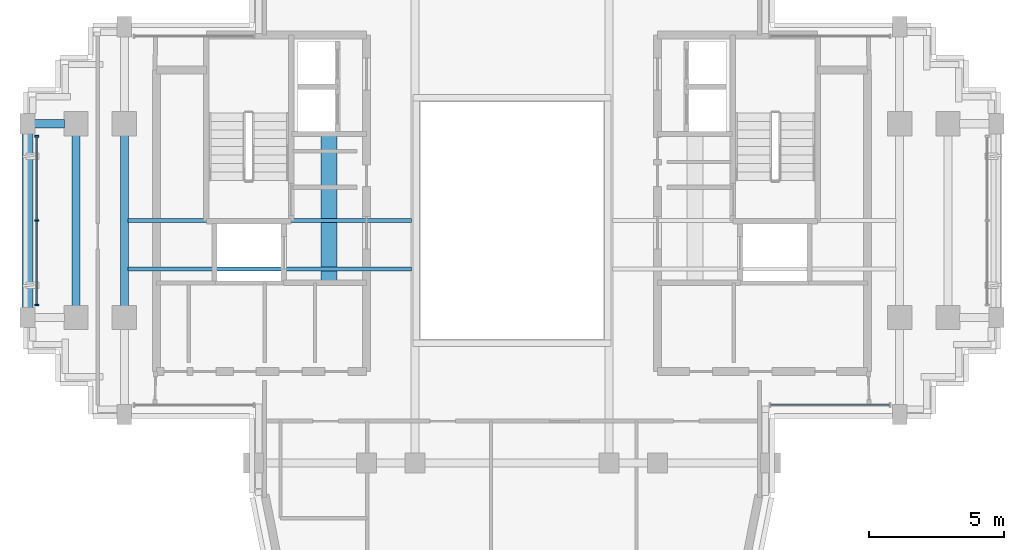
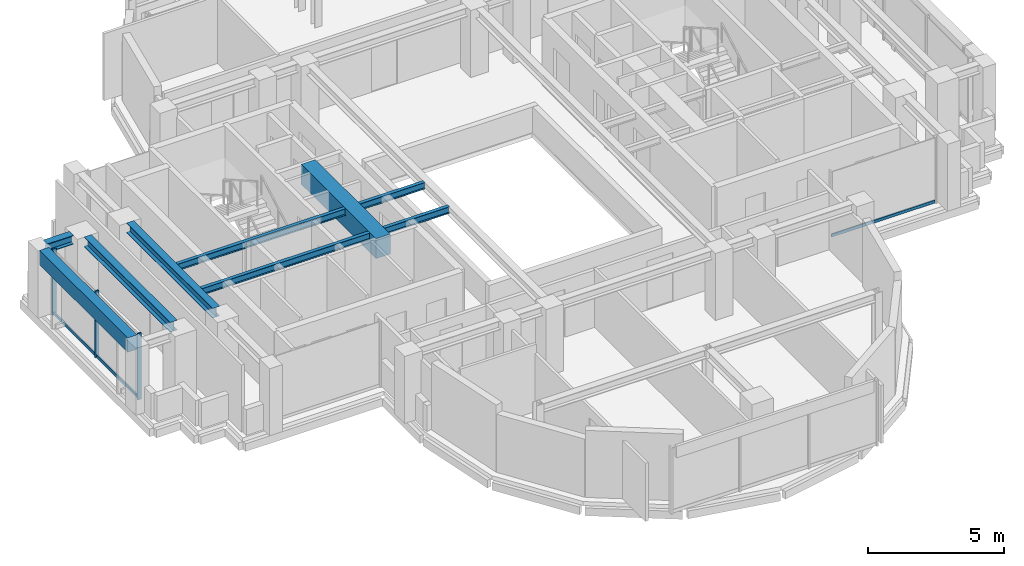
# One storey, part 4 of 12: 7 beams, 6 members, 2 elements without a shape of their own.
"""IFC4 building model written with IfcOpenShell, lengths in metres."""

from ifc_helpers import new_model, si_unit, direction, frame, origin, origin_2d, place, context, subcontext, project, spatial, rectangle, i_section, extrude, source, transform, mapped, material, material_profile, profile_set, type_object, element, aggregate, save


model = new_model("IFC4")

# Units and contexts
model_context = context("Model", 3, precision=1e-05, world=origin(), true_north=direction((0.0, 1.0)))
body_context = subcontext(model_context, "Body", "Model", "MODEL_VIEW")
ifc_project = project(units=[si_unit("LENGTHUNIT", "METRE"), si_unit("AREAUNIT", "SQUARE_METRE"), si_unit("VOLUMEUNIT", "CUBIC_METRE"), si_unit("PLANEANGLEUNIT", "RADIAN"), si_unit("MASSUNIT", "GRAM", prefix="KILO")], contexts=[model_context])

# Site, building, storey
site_placement = place(None, origin())
site = spatial("IfcSite", under=ifc_project, at=site_placement, CompositionType="ELEMENT")
building_placement = place(site_placement, origin())
building = spatial("IfcBuilding", under=site, at=building_placement, Name="Keilestroom Media Tower", CompositionType="ELEMENT")
storey_placement = place(building_placement, frame((0.0, 0.0, 226.800048828125)))
storey = spatial("IfcBuildingStorey", under=building, at=storey_placement, Name="L62", CompositionType="ELEMENT", Elevation=226.800048828125)

# Beams
ifc_material_1 = material(Name="Concrete C70/85", Category="concrete")
ifc_material_profile_1 = material_profile(ifc_material_1, rectangle(XDim=0.60009765625, YDim=0.89990234375, at=origin_2d()), Name="RC 600x900")
ifc_profile_set_1 = profile_set([ifc_material_profile_1], Name="Concrete C70/85")
beam_type_1 = type_object("IfcBeamType", Name="Core-Coupling-Lintel-Beam-RC-600x900", PredefinedType="LINTEL", material=ifc_profile_set_1)
shared_shape_1 = source(origin(), body_context, "Body", "SweptSolid", [
    extrude(rectangle(XDim=0.60009765625, YDim=0.89990234375, at=origin_2d()), origin(), (0.0, 0.0, 1.0), 5.52001953125),
])
beam_1_placement = place(storey_placement, frame((-6.800048828125, -2.300048828125, 2.56005859375), z_axis=(0.0, 1.0, 0.0), x_axis=(-1.0, 0.0, 0.0)))
element("IfcBeam", 1, at=beam_1_placement, inside=storey, type_object=beam_type_1, Name="L62 Beam CLB-1 CLB-L62-W", PredefinedType="LINTEL", context=body_context, shape_type="MappedRepresentation", body=[
    mapped(shared_shape_1, transform((0.0, 0.0, 0.0), x_axis=(1.0, 0.0, 0.0), y_axis=(0.0, 1.0, 0.0), z_axis=(0.0, 0.0, 1.0), scale=1.0)),
])
ifc_material_2 = material(Name="Steel S355", Category="steel")
ifc_material_profile_2 = material_profile(ifc_material_2, i_section(OverallWidth=0.300048828125, OverallDepth=0.39990234375, WebThickness=0.011474609375, FlangeThickness=0.02392578125, at=origin_2d()), Name="HEB 400")
ifc_profile_set_2 = profile_set([ifc_material_profile_2], Name="Steel S355")
beam_type_2 = type_object("IfcBeamType", Name="Primary-Structural-Girder-HEB-400", PredefinedType="BEAM", material=ifc_profile_set_2)
shared_shape_2 = source(origin(), body_context, "Body", "SweptSolid", [
    extrude(i_section(OverallWidth=0.300048828125, OverallDepth=0.39990234375, WebThickness=0.011474609375, FlangeThickness=0.02392578125, at=origin_2d()), origin(), (0.0, 0.0, 1.0), 1.115234375),
])
beam_2_placement = place(storey_placement, frame((-17.7451171875, 3.60009765625, 2.81005859375), z_axis=(1.0, 0.0, 0.0), x_axis=(0.0, 1.0, 0.0)))
element("IfcBeam", 2, at=beam_2_placement, inside=storey, type_object=beam_type_2, Name="L62 Beam BG-8 BM-L62-EW-012", PredefinedType="BEAM", context=body_context, shape_type="MappedRepresentation", body=[
    mapped(shared_shape_2, transform((0.0, 0.0, 0.0), x_axis=(1.0, 0.0, 0.0), y_axis=(0.0, 1.0, 0.0), z_axis=(0.0, 0.0, 1.0), scale=1.0)),
])
ifc_material_3 = material(Name="Precast concrete C40/50", Category="concrete")
ifc_material_profile_3 = material_profile(ifc_material_3, rectangle(XDim=0.39990234375, YDim=0.64990234375, at=origin_2d()), Name="PC 400x650")
ifc_profile_set_3 = profile_set([ifc_material_profile_3], Name="Precast concrete C40/50")
beam_type_3 = type_object("IfcBeamType", Name="Perimeter-Spandrel-Beam-PC-400x650", PredefinedType="SPANDREL", material=ifc_profile_set_3)
shared_shape_3 = source(origin(), body_context, "Body", "SweptSolid", [
    extrude(rectangle(XDim=0.39990234375, YDim=0.64990234375, at=origin_2d()), origin(), (0.0, 0.0, 1.0), 6.490234375),
])
beam_3_placement = place(storey_placement, frame((-18.0, -3.2451171875, 2.68505859375), z_axis=(0.0, 1.0, 0.0), x_axis=(-1.0, 0.0, 0.0)))
element("IfcBeam", 3, at=beam_3_placement, inside=storey, type_object=beam_type_3, Name="L62 Beam SPB-2 BM-L62-NS-025", PredefinedType="SPANDREL", context=body_context, shape_type="MappedRepresentation", body=[
    mapped(shared_shape_3, transform((0.0, 0.0, 0.0), x_axis=(1.0, 0.0, 0.0), y_axis=(0.0, 1.0, 0.0), z_axis=(0.0, 0.0, 1.0), scale=1.0)),
])
ifc_material_profile_4 = material_profile(ifc_material_2, i_section(OverallWidth=0.300048828125, OverallDepth=0.43994140625, WebThickness=0.011474609375, FlangeThickness=0.02099609375, at=origin_2d()), Name="HEA 450")
ifc_profile_set_4 = profile_set([ifc_material_profile_4], Name="Steel S355")
beam_type_4 = type_object("IfcBeamType", Name="Primary-Structural-Girder-HEA-450", PredefinedType="BEAM", material=ifc_profile_set_4)
shared_shape_4 = source(origin(), body_context, "Body", "SweptSolid", [
    extrude(i_section(OverallWidth=0.300048828125, OverallDepth=0.43994140625, WebThickness=0.011474609375, FlangeThickness=0.02099609375, at=origin_2d()), origin(), (0.0, 0.0, 1.0), 6.33984375),
])
for number, where, z_axis, x_axis, name in (
    (4, (-16.199951171875, -3.169921875, 2.7900390625), (0.0, 1.0, 0.0), (-1.0, 0.0, 0.0), "L62 Beam BG-11 BM-L62-NS-026"),
    (5, (-14.39990234375, -3.169921875, 2.7900390625), (0.0, 1.0, 0.0), (-1.0, 0.0, 0.0), "L62 Beam BG-11 BM-L62-NS-028"),
):
    element("IfcBeam", number, at=place(storey_placement, frame(where, z_axis=z_axis, x_axis=x_axis)), inside=storey, type_object=beam_type_4, Name=name, PredefinedType="BEAM", context=body_context, shape_type="MappedRepresentation", body=[
        mapped(shared_shape_4, transform((0.0, 0.0, 0.0), x_axis=(1.0, 0.0, 0.0), y_axis=(0.0, 1.0, 0.0), z_axis=(0.0, 0.0, 1.0), scale=1.0)),
    ])
ifc_material_profile_5 = material_profile(ifc_material_2, i_section(OverallWidth=0.14990234375, OverallDepth=0.300048828125, WebThickness=0.007080078125, FlangeThickness=0.0107421875, at=origin_2d()), Name="IPE 300")
ifc_profile_set_5 = profile_set([ifc_material_profile_5], Name="Steel S355")
beam_type_5 = type_object("IfcBeamType", Name="Secondary-Floor-Joist-IPE-300", PredefinedType="JOIST", material=ifc_profile_set_5)
shared_shape_5 = source(origin(), body_context, "Body", "SweptSolid", [
    extrude(i_section(OverallWidth=0.14990234375, OverallDepth=0.300048828125, WebThickness=0.007080078125, FlangeThickness=0.0107421875, at=origin_2d()), origin(), (0.0, 0.0, 1.0), 10.5400390625),
])
for number, where, z_axis, x_axis, name in (
    (6, (-14.27001953125, -1.800048828125, 2.85986328125), (1.0, 0.0, 0.0), (0.0, 1.0, 0.0), "L62 Beam BJ-7 JST-L62-045"),
    (7, (-14.27001953125, 0.0, 2.85986328125), (1.0, 0.0, 0.0), (0.0, 1.0, 0.0), "L62 Beam BJ-7 JST-L62-048"),
):
    element("IfcBeam", number, at=place(storey_placement, frame(where, z_axis=z_axis, x_axis=x_axis)), inside=storey, type_object=beam_type_5, Name=name, PredefinedType="JOIST", context=body_context, shape_type="MappedRepresentation", body=[
        mapped(shared_shape_5, transform((0.0, 0.0, 0.0), x_axis=(1.0, 0.0, 0.0), y_axis=(0.0, 1.0, 0.0), z_axis=(0.0, 0.0, 1.0), scale=1.0)),
    ])

# Curtain wall, members
ifc_material_4 = material(Name="Anodised Aluminium Alloy", Category="aluminium")
curtain_wall_type = type_object("IfcCurtainWallType", Name="Unitised-Curtain-Wall-CW-4", PredefinedType="NOTDEFINED", material=ifc_material_4)
curtain_wall_1_placement = place(storey_placement, origin())
curtain_wall_1 = element("IfcCurtainWall", 8, at=curtain_wall_1_placement, inside=storey, type_object=curtain_wall_type, Name="L62 Curtain Wall CW-4 CW-L62-W-1", PredefinedType="NOTDEFINED")
ifc_material_profile_6 = material_profile(ifc_material_4, rectangle(XDim=0.06005859375, YDim=0.159912109375, at=origin_2d()), Name="ALU MULLION 60x160")
ifc_profile_set_6 = profile_set([ifc_material_profile_6], Name="Anodised Aluminium Alloy")
member_type_1 = type_object("IfcMemberType", Name="Curtain-Wall-Mullion-CW-4", PredefinedType="MULLION", material=ifc_profile_set_6)
shared_shape_6 = source(origin(), body_context, "Body", "SweptSolid", [
    extrude(rectangle(XDim=0.06005859375, YDim=0.159912109375, at=origin_2d()), origin(), (0.0, 0.0, 1.0), 2.97998046875),
])
member_1_placement = place(storey_placement, frame((-17.64990234375, -3.135009765625, 0.0), z_axis=(0.0, 0.0, 1.0), x_axis=(0.0, 1.0, 0.0)))
member_1 = element("IfcMember", 9, at=member_1_placement, type_object=member_type_1, Name="CW-4 Mullion 00", PredefinedType="MULLION", context=body_context, shape_type="MappedRepresentation", body=[
    mapped(shared_shape_6, transform((0.0, 0.0, 0.0), x_axis=(1.0, 0.0, 0.0), y_axis=(0.0, 1.0, 0.0), z_axis=(0.0, 0.0, 1.0), scale=1.0)),
])
member_2_placement = place(storey_placement, frame((-17.64990234375, 0.0, 0.0), z_axis=(0.0, 0.0, 1.0), x_axis=(0.0, 1.0, 0.0)))
member_2 = element("IfcMember", 10, at=member_2_placement, type_object=member_type_1, Name="CW-4 Mullion 01", PredefinedType="MULLION", context=body_context, shape_type="MappedRepresentation", body=[
    mapped(shared_shape_6, transform((0.0, 0.0, 0.0), x_axis=(1.0, 0.0, 0.0), y_axis=(0.0, 1.0, 0.0), z_axis=(0.0, 0.0, 1.0), scale=1.0)),
])
member_3_placement = place(storey_placement, frame((-17.64990234375, 3.135009765625, 0.0), z_axis=(0.0, 0.0, 1.0), x_axis=(0.0, 1.0, 0.0)))
member_3 = element("IfcMember", 11, at=member_3_placement, type_object=member_type_1, Name="CW-4 Mullion 02", PredefinedType="MULLION", context=body_context, shape_type="MappedRepresentation", body=[
    mapped(shared_shape_6, transform((0.0, 0.0, 0.0), x_axis=(1.0, 0.0, 0.0), y_axis=(0.0, 1.0, 0.0), z_axis=(0.0, 0.0, 1.0), scale=1.0)),
])
ifc_material_profile_7 = material_profile(ifc_material_4, rectangle(XDim=0.06005859375, YDim=0.1298828125, at=origin_2d()), Name="ALU TRANSOM 60x130")
ifc_profile_set_7 = profile_set([ifc_material_profile_7], Name="Anodised Aluminium Alloy")
member_type_2 = type_object("IfcMemberType", Name="Curtain-Wall-Transom-CW-4", PredefinedType="USERDEFINED", material=ifc_profile_set_7)
shared_shape_7 = source(origin(), body_context, "Body", "SweptSolid", [
    extrude(rectangle(XDim=0.06005859375, YDim=0.1298828125, at=origin_2d()), origin(), (0.0, 0.0, 1.0), 3.078857421875),
])
member_4_placement = place(storey_placement, frame((-17.64990234375, -3.10693359375, 0.06494140625), z_axis=(0.0, 1.0, 0.0), x_axis=(-1.0, 0.0, 0.0)))
member_4 = element("IfcMember", 12, at=member_4_placement, type_object=member_type_2, Name="CW-4 Transom 00.1", ObjectType="TRANSOM", PredefinedType="USERDEFINED", context=body_context, shape_type="MappedRepresentation", body=[
    mapped(shared_shape_7, transform((0.0, 0.0, 0.0), x_axis=(1.0, 0.0, 0.0), y_axis=(0.0, 1.0, 0.0), z_axis=(0.0, 0.0, 1.0), scale=1.0)),
])
member_5_placement = place(storey_placement, frame((-17.64990234375, 0.028076171875, 0.06494140625), z_axis=(0.0, 1.0, 0.0), x_axis=(-1.0, 0.0, 0.0)))
member_5 = element("IfcMember", 13, at=member_5_placement, type_object=member_type_2, Name="CW-4 Transom 01.1", ObjectType="TRANSOM", PredefinedType="USERDEFINED", context=body_context, shape_type="MappedRepresentation", body=[
    mapped(shared_shape_7, transform((0.0, 0.0, 0.0), x_axis=(1.0, 0.0, 0.0), y_axis=(0.0, 1.0, 0.0), z_axis=(0.0, 0.0, 1.0), scale=1.0)),
])
aggregate(curtain_wall_1, [member_1, member_2, member_3, member_4, member_5])

# Curtain wall, member
curtain_wall_2_placement = place(storey_placement, origin())
curtain_wall_2 = element("IfcCurtainWall", 14, at=curtain_wall_2_placement, inside=storey, type_object=curtain_wall_type, Name="L62 Curtain Wall CW-4 CW-L62-SE-1", PredefinedType="NOTDEFINED")
shared_shape_8 = source(origin(), body_context, "Body", "SweptSolid", [
    extrude(rectangle(XDim=0.06005859375, YDim=0.1298828125, at=origin_2d()), origin(), (0.0, 0.0, 1.0), 4.399169921875),
])
member_6_placement = place(storey_placement, frame((9.60791015625, -6.85009765625, 0.06494140625), z_axis=(1.0, 0.0, 0.0), x_axis=(0.0, 1.0, 0.0)))
member_6 = element("IfcMember", 15, at=member_6_placement, type_object=member_type_2, Name="CW-4 Transom 00.1", ObjectType="TRANSOM", PredefinedType="USERDEFINED", context=body_context, shape_type="MappedRepresentation", body=[
    mapped(shared_shape_8, transform((0.0, 0.0, 0.0), x_axis=(1.0, 0.0, 0.0), y_axis=(0.0, 1.0, 0.0), z_axis=(0.0, 0.0, 1.0), scale=1.0)),
])
aggregate(curtain_wall_2, [member_6])

save(model, "model.ifc")
